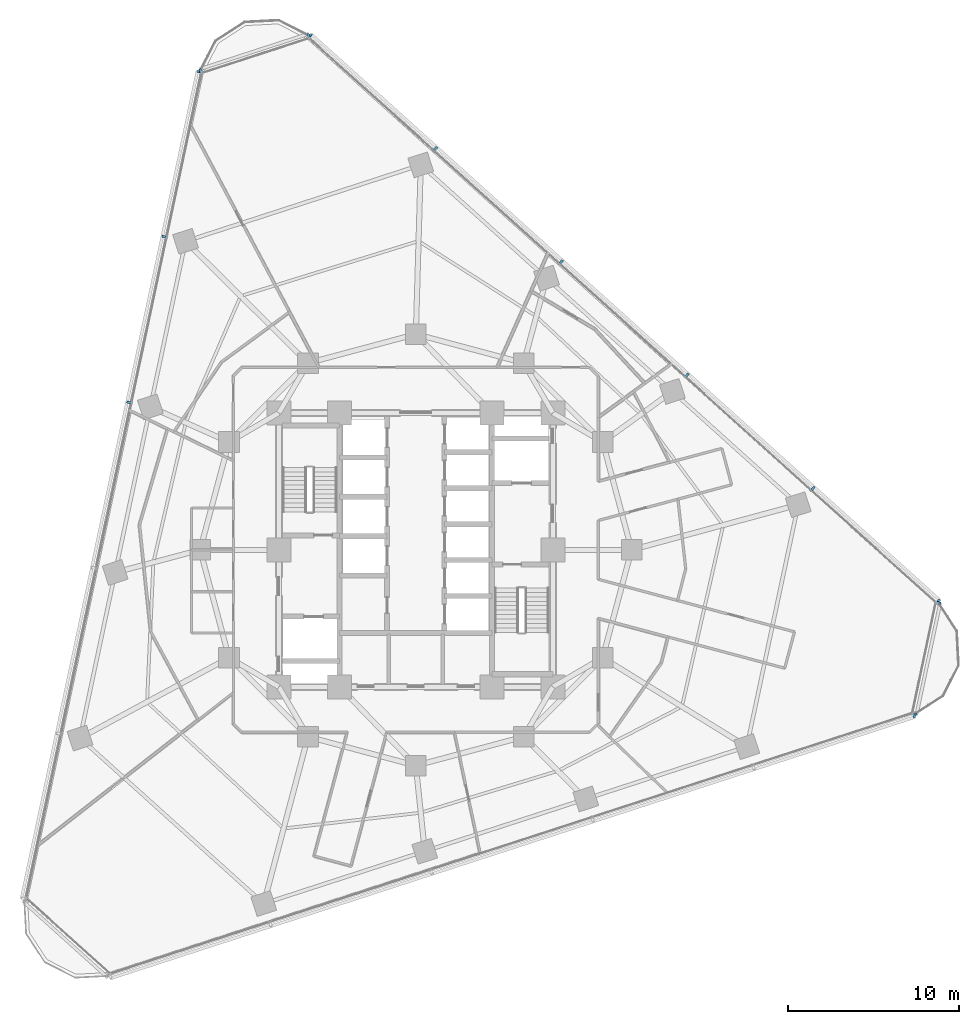
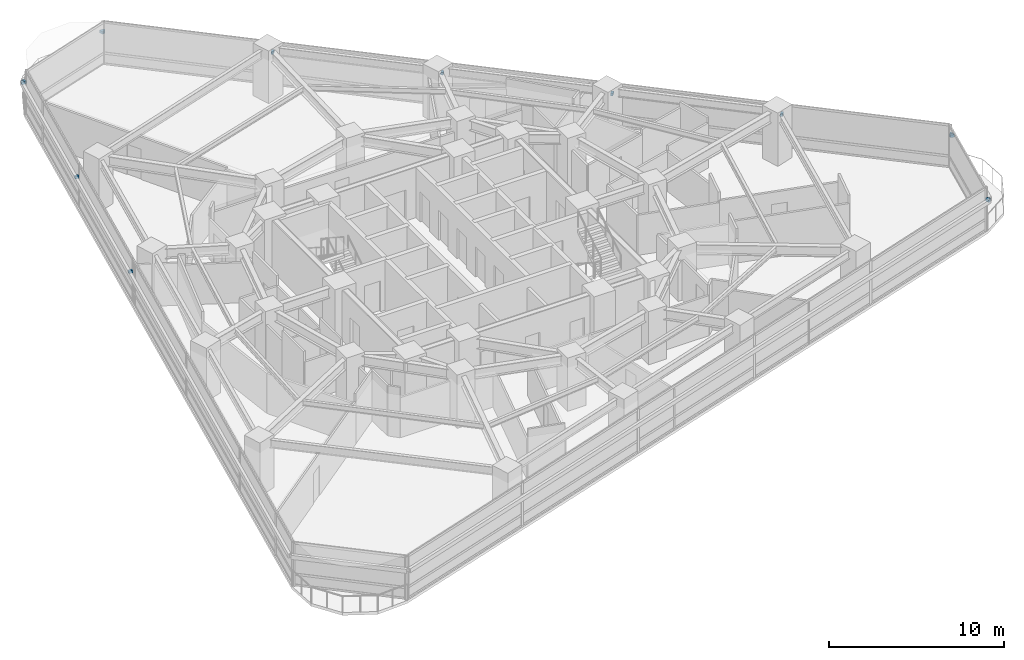
# One storey, part 10 of 13: 14 discrete accessories.
"""IFC4 building model written with IfcOpenShell, lengths in metres."""

from ifc_helpers import new_model, si_unit, direction, frame, origin, origin_2d, place, context, subcontext, project, spatial, rectangle, extrude, material, type_object, element, save


model = new_model("IFC4")

# Units and contexts
model_context = context("Model", 3, precision=1e-05, world=origin(), true_north=direction((0.0, 1.0)))
body_context = subcontext(model_context, "Body", "Model", "MODEL_VIEW")
ifc_project = project(units=[si_unit("LENGTHUNIT", "METRE"), si_unit("AREAUNIT", "SQUARE_METRE"), si_unit("VOLUMEUNIT", "CUBIC_METRE"), si_unit("PLANEANGLEUNIT", "RADIAN"), si_unit("MASSUNIT", "GRAM", prefix="KILO")], contexts=[model_context])

# Site, building, storey
site_placement = place(None, origin())
site = spatial("IfcSite", under=ifc_project, at=site_placement, CompositionType="ELEMENT")
building_placement = place(site_placement, origin())
building = spatial("IfcBuilding", under=site, at=building_placement, Name="Terralouvre Media Tower", CompositionType="ELEMENT")
storey_placement = place(building_placement, frame((0.0, 0.0, 108.800048828125)))
storey = spatial("IfcBuildingStorey", under=building, at=storey_placement, Name="L27", CompositionType="ELEMENT", Elevation=108.800048828125)

# Discrete accessories
ifc_material = material(Name="Anodised extruded aluminium 6063-T6", Category="aluminium")
discrete_accessory_type = type_object("IfcDiscreteAccessoryType", Name="Mullion Stand-Off Baguette Fixing Bracket BK-01", PredefinedType="BRACKET", material=ifc_material)
for number, where, z_axis, x_axis, name in (
    (1, (29.09619140625, -9.67431640625, 2.07421875), (0.0, 0.0, 1.0), (0.951056509451, 0.309017015439, 0.0), "CW-L27-F0 Baguette Outrigger Bracket 1.06"),
    (2, (30.515625, -2.996337890625, 2.07421875), (0.0, 0.0, 1.0), (-0.743144795545, 0.669130639602, 0.0), "CW-L27-F1 Baguette Outrigger Bracket 1.01"),
    (3, (23.1953125, 3.5947265625, 2.07421875), (0.0, 0.0, 1.0), (-0.743144795545, 0.669130639602, 0.0), "CW-L27-F1 Baguette Outrigger Bracket 1.02"),
    (4, (15.846923828125, 10.211181640625, 2.07421875), (0.0, 0.0, 1.0), (-0.743144795545, 0.669130639602, 0.0), "CW-L27-F1 Baguette Outrigger Bracket 1.03"),
    (5, (8.498779296875, 16.82763671875, 2.07421875), (0.0, 0.0, 1.0), (-0.743144795545, 0.669130639602, 0.0), "CW-L27-F1 Baguette Outrigger Bracket 1.04"),
    (6, (1.150634765625, 23.44384765625, 2.07421875), (0.0, 0.0, 1.0), (-0.743144795545, 0.669130639602, 0.0), "CW-L27-F1 Baguette Outrigger Bracket 1.05"),
    (7, (-6.169677734375, 30.03515625, 2.07421875), (0.0, 0.0, 1.0), (-0.743144795545, 0.669130639602, 0.0), "CW-L27-F1 Baguette Outrigger Bracket 1.06"),
    (8, (-12.662841796875, 27.925537109375, 2.07421875), (0.0, 0.0, 1.0), (-0.207911643887, -0.978147610709, 0.0), "CW-L27-F2 Baguette Outrigger Bracket 1.01"),
    (9, (-14.710693359375, 18.290283203125, 2.07421875), (0.0, 0.0, 1.0), (-0.207911643887, -0.978147610709, 0.0), "CW-L27-F2 Baguette Outrigger Bracket 1.02"),
    (10, (-16.7666015625, 8.618408203125, 2.07421875), (0.0, 0.0, 1.0), (-0.207911643887, -0.978147610709, 0.0), "CW-L27-F2 Baguette Outrigger Bracket 1.03"),
    (11, (29.146728515625, -9.59228515625, 2.07421875), (0.0, 0.0, 1.0), (0.207911611348, 0.978147617626, 0.0), "CW-L27-C1 Baguette Outrigger Bracket 1.01"),
    (12, (30.5283203125, -3.092041015625, 2.07421875), (0.0, 0.0, 1.0), (0.207911611348, 0.978147617626, 0.0), "CW-L27-C1 Baguette Outrigger Bracket 1.02"),
    (13, (-6.266357421875, 30.0380859375, 2.07421875), (0.0, 0.0, 1.0), (-0.951056286408, -0.309017701894, 0.0), "CW-L27-C2 Baguette Outrigger Bracket 1.01"),
    (14, (-12.58642578125, 27.984375, 2.07421875), (0.0, 0.0, 1.0), (-0.951056286408, -0.309017701894, 0.0), "CW-L27-C2 Baguette Outrigger Bracket 1.02"),
):
    element("IfcDiscreteAccessory", number, at=place(storey_placement, frame(where, z_axis=z_axis, x_axis=x_axis)), inside=storey, type_object=discrete_accessory_type, Name=name, PredefinedType="BRACKET", context=body_context, shape_type="SweptSolid", body=[
        extrude(rectangle(XDim=0.139892578125, YDim=0.239990234375, at=origin_2d()), origin(), (0.0, 0.0, 1.0), 0.179931640625),
    ])

save(model, "model.ifc")
